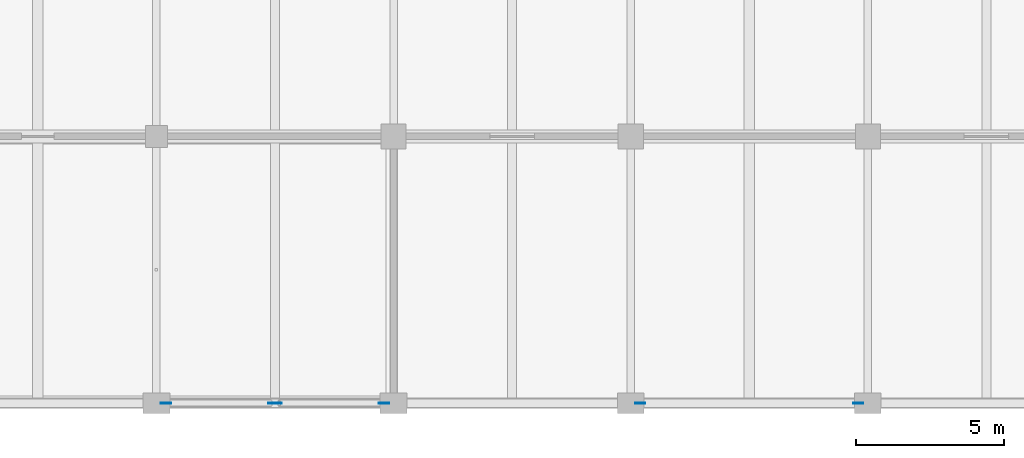
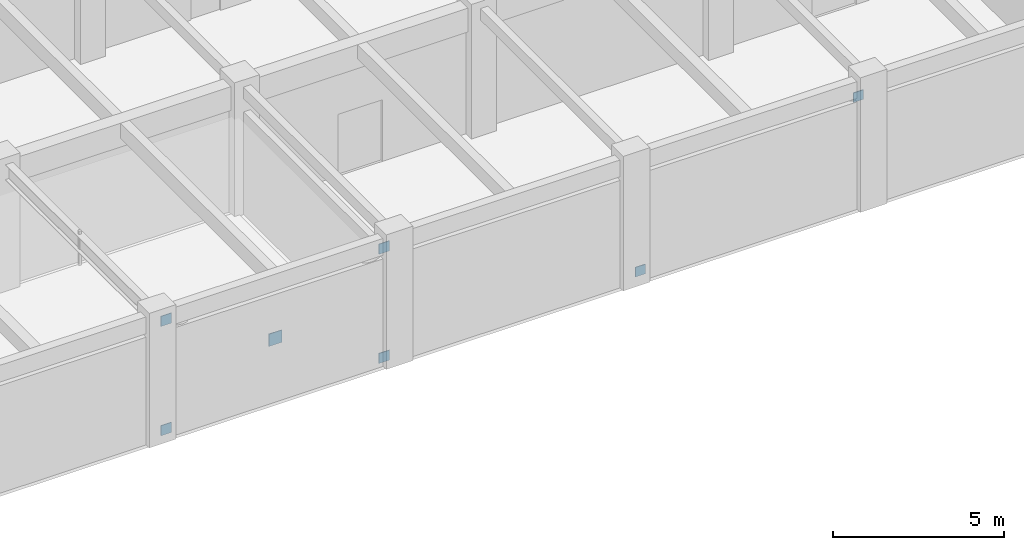
# One storey, part 98 of 144: 7 plates.
"""IFC4 building model written with IfcOpenShell, lengths in metres."""

from ifc_helpers import new_model, si_unit, direction, frame, origin, origin_2d, place, context, subcontext, project, spatial, rectangle, extrude, material, layer, layer_set, type_object, element, save


model = new_model("IFC4")

# Units and contexts
model_context = context("Model", 3, precision=1e-05, world=origin(), true_north=direction((0.0, 1.0)))
body_context = subcontext(model_context, "Body", "Model", "MODEL_VIEW")
ifc_project = project(units=[si_unit("LENGTHUNIT", "METRE"), si_unit("AREAUNIT", "SQUARE_METRE"), si_unit("VOLUMEUNIT", "CUBIC_METRE"), si_unit("PLANEANGLEUNIT", "RADIAN"), si_unit("MASSUNIT", "GRAM", prefix="KILO")], contexts=[model_context])

# Site, building, storey
site_placement = place(None, origin())
site = spatial("IfcSite", under=ifc_project, at=site_placement, CompositionType="ELEMENT")
building_placement = place(site_placement, origin())
building = spatial("IfcBuilding", under=site, at=building_placement, Name="Varnabhumi Central Station", CompositionType="ELEMENT")
storey_placement = place(building_placement, frame((0.0, 0.0, 4.800048828125)))
storey = spatial("IfcBuildingStorey", under=building, at=storey_placement, Name="L01", CompositionType="ELEMENT", Elevation=4.800048828125)

# Plates
ifc_material = material(Name="Structural steel E350", Category="steel")
ifc_layer = layer(ifc_material, 0.031982421875, Name="Structural steel E350", Category="steel")
ifc_layer_set = layer_set([ifc_layer], Name="Structural steel E350")
plate_type = type_object("IfcPlateType", Name="PLT-GUSSET-A", PredefinedType="USERDEFINED", material=ifc_layer_set)
plate_placement = place(storey_placement, frame((12.0, 0.0, 1.929931640625), z_axis=(0.0, 0.0, 1.0), x_axis=(1.0, 0.0, 0.0)))
element("IfcPlate", 1, at=plate_placement, inside=storey, type_object=plate_type, Name="X-Brace Crossing Node Gusset L01-A:2-3", ObjectType="GUSSET PLATE", PredefinedType="USERDEFINED", context=body_context, shape_type="SweptSolid", body=[
    extrude(rectangle(XDim=0.43994140625, YDim=0.02490234375, at=origin_2d()), origin(), (0.0, 0.0, 1.0), 0.43994140625),
])
for number, where, z_axis, x_axis, name in (
    (2, (8.320068359375, 0.0, 0.02001953125), (0.0, 0.0, 1.0), (1.0, 0.0, 0.0), "Brace End Gusset Plate L01-A:2-3-BL"),
    (3, (8.320068359375, 0.0, 3.919921875), (0.0, 0.0, 1.0), (1.0, 0.0, 0.0), "Brace End Gusset Plate L01-A:2-3-TL"),
    (4, (15.679931640625, 0.0, 0.02001953125), (0.0, 0.0, 1.0), (1.0, 0.0, 0.0), "Brace End Gusset Plate L01-A:2-3-BR"),
    (5, (15.679931640625, 0.0, 3.919921875), (0.0, 0.0, 1.0), (1.0, 0.0, 0.0), "Brace End Gusset Plate L01-A:2-3-TR"),
):
    element("IfcPlate", number, at=place(storey_placement, frame(where, z_axis=z_axis, x_axis=x_axis)), inside=storey, type_object=plate_type, Name=name, ObjectType="GUSSET PLATE", PredefinedType="USERDEFINED", context=body_context, shape_type="SweptSolid", body=[
        extrude(rectangle(XDim=0.360107421875, YDim=0.02490234375, at=origin_2d()), origin(), (0.0, 0.0, 1.0), 0.360107421875),
    ])
for number, where, z_axis, x_axis, name in (
    (6, (24.320068359375, 0.0, 0.080078125), (0.0, 0.0, 1.0), (1.0, 0.0, 0.0), "Lateral Brace End Gusset WB-2-B"),
    (7, (31.679931640625, 0.0, 3.72998046875), (0.0, 0.0, 1.0), (1.0, 0.0, 0.0), "Lateral Brace End Gusset WB-2-T"),
):
    element("IfcPlate", number, at=place(storey_placement, frame(where, z_axis=z_axis, x_axis=x_axis)), inside=storey, type_object=plate_type, Name=name, ObjectType="GUSSET PLATE", PredefinedType="USERDEFINED", context=body_context, shape_type="SweptSolid", body=[
        extrude(rectangle(XDim=0.340087890625, YDim=0.02490234375, at=origin_2d()), origin(), (0.0, 0.0, 1.0), 0.340087890625),
    ])

save(model, "model.ifc")
